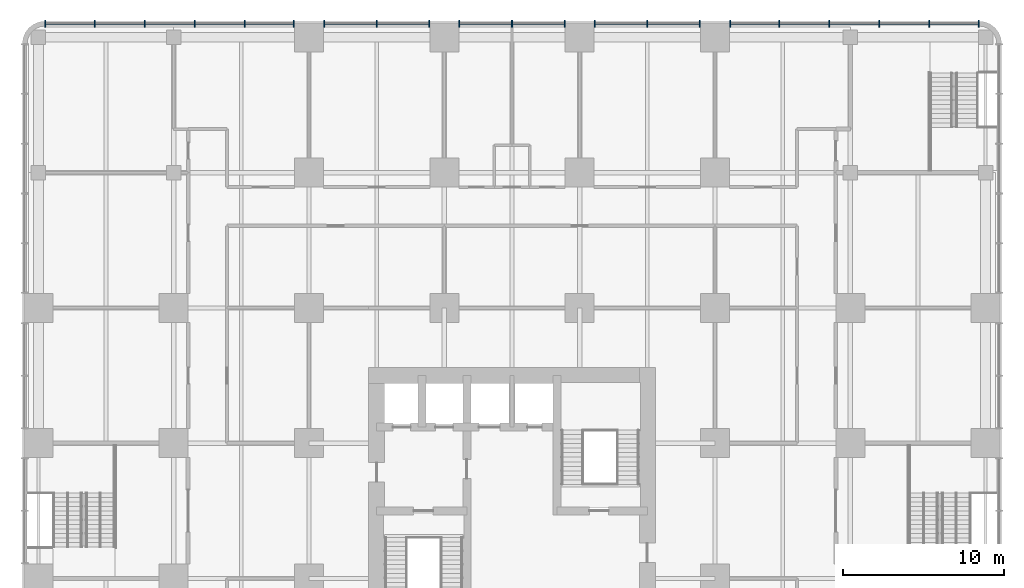
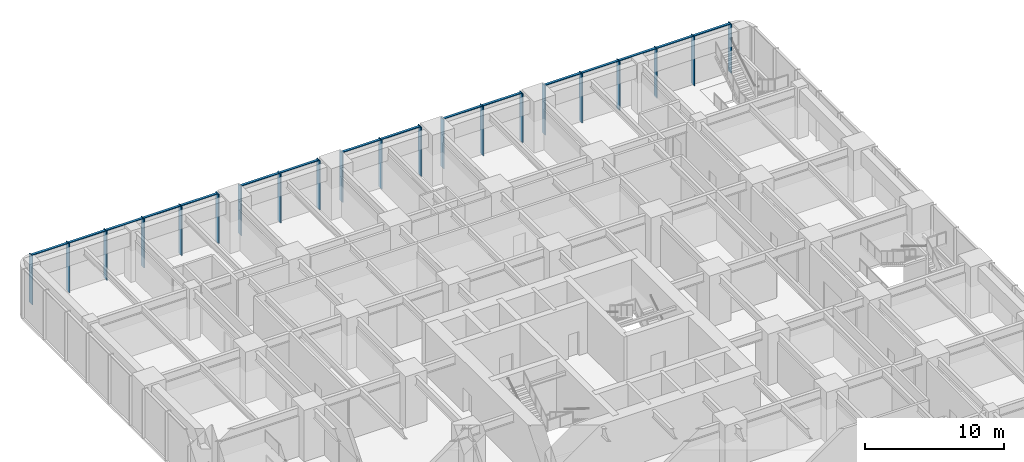
# One storey, part 7 of 19: 37 members, 1 element without a shape of its own.
"""IFC4 building model written with IfcOpenShell, lengths in metres."""

from ifc_helpers import new_model, si_unit, direction, frame, origin, origin_2d, place, context, subcontext, project, spatial, rectangle, extrude, material, material_profile, profile_set, type_object, element, aggregate, save


model = new_model("IFC4")

# Units and contexts
model_context = context("Model", 3, precision=1e-05, world=origin(), true_north=direction((0.0, 1.0)))
body_context = subcontext(model_context, "Body", "Model", "MODEL_VIEW")
ifc_project = project(units=[si_unit("LENGTHUNIT", "METRE"), si_unit("AREAUNIT", "SQUARE_METRE"), si_unit("VOLUMEUNIT", "CUBIC_METRE"), si_unit("PLANEANGLEUNIT", "RADIAN"), si_unit("MASSUNIT", "GRAM", prefix="KILO")], contexts=[model_context])

# Site, building, storey
site_placement = place(None, origin())
site = spatial("IfcSite", under=ifc_project, at=site_placement, CompositionType="ELEMENT")
building_placement = place(site_placement, origin())
building = spatial("IfcBuilding", under=site, at=building_placement, Name="Torre Alcanfor", CompositionType="ELEMENT")
storey_placement = place(building_placement, frame((0.0, 0.0, 15.0)))
storey = spatial("IfcBuildingStorey", under=building, at=storey_placement, Name="L03", CompositionType="ELEMENT", Elevation=15.0)

# Curtain wall, members
ifc_material_1 = material(Name="Aluminium and glass", Category="aluminium")
curtain_wall_type = type_object("IfcCurtainWallType", Name="CW-B unitised classroom glazing with vertical FIN", PredefinedType="NOTDEFINED", material=ifc_material_1)
curtain_wall_placement = place(storey_placement, origin())
curtain_wall = element("IfcCurtainWall", 1, at=curtain_wall_placement, inside=storey, type_object=curtain_wall_type, Name="Curtain wall CW-B L03 2", PredefinedType="NOTDEFINED")
ifc_material_2 = material(Name="Bronze anodised aluminium", Category="aluminium")
ifc_material_profile_1 = material_profile(ifc_material_2, rectangle(XDim=0.449951171875, YDim=0.06494140625, at=origin_2d()), Name="CW-B mullion 65x450")
ifc_profile_set_1 = profile_set([ifc_material_profile_1], Name="Bronze anodised aluminium")
member_type_1 = type_object("IfcMemberType", Name="CW-B mullion with vertical FIN 65x450", PredefinedType="MULLION", material=ifc_profile_set_1)
member_1_placement = place(storey_placement, frame((58.367431640625, 59.64990234375, 0.0), z_axis=(0.0, 0.0, 1.0), x_axis=(0.0, -1.0, 0.0)))
member_1 = element("IfcMember", 2, at=member_1_placement, type_object=member_type_1, Name="CW-B mullion 1.1", PredefinedType="MULLION", context=body_context, shape_type="SweptSolid", body=[
    extrude(rectangle(XDim=0.449951171875, YDim=0.06494140625, at=origin_2d()), origin(), (0.0, 0.0, 1.0), 4.300048828125),
])
member_2_placement = place(storey_placement, frame((55.301025390625, 59.64990234375, 0.0), z_axis=(0.0, 0.0, 1.0), x_axis=(0.0, -1.0, 0.0)))
member_2 = element("IfcMember", 3, at=member_2_placement, type_object=member_type_1, Name="CW-B mullion 1.2", PredefinedType="MULLION", context=body_context, shape_type="SweptSolid", body=[
    extrude(rectangle(XDim=0.449951171875, YDim=0.06494140625, at=origin_2d()), origin(), (0.0, 0.0, 1.0), 4.300048828125),
])
member_3_placement = place(storey_placement, frame((52.201904296875, 59.64990234375, 0.0), z_axis=(0.0, 0.0, 1.0), x_axis=(0.0, -1.0, 0.0)))
member_3 = element("IfcMember", 4, at=member_3_placement, type_object=member_type_1, Name="CW-B mullion 1.3", PredefinedType="MULLION", context=body_context, shape_type="SweptSolid", body=[
    extrude(rectangle(XDim=0.449951171875, YDim=0.06494140625, at=origin_2d()), origin(), (0.0, 0.0, 1.0), 4.300048828125),
])
member_4_placement = place(storey_placement, frame((49.10302734375, 59.64990234375, 0.0), z_axis=(0.0, 0.0, 1.0), x_axis=(0.0, -1.0, 0.0)))
member_4 = element("IfcMember", 5, at=member_4_placement, type_object=member_type_1, Name="CW-B mullion 1.4", PredefinedType="MULLION", context=body_context, shape_type="SweptSolid", body=[
    extrude(rectangle(XDim=0.449951171875, YDim=0.06494140625, at=origin_2d()), origin(), (0.0, 0.0, 1.0), 4.300048828125),
])
member_5_placement = place(storey_placement, frame((46.00390625, 59.64990234375, 0.0), z_axis=(0.0, 0.0, 1.0), x_axis=(0.0, -1.0, 0.0)))
member_5 = element("IfcMember", 6, at=member_5_placement, type_object=member_type_1, Name="CW-B mullion 1.5", PredefinedType="MULLION", context=body_context, shape_type="SweptSolid", body=[
    extrude(rectangle(XDim=0.449951171875, YDim=0.06494140625, at=origin_2d()), origin(), (0.0, 0.0, 1.0), 4.300048828125),
])
member_6_placement = place(storey_placement, frame((42.9375, 59.64990234375, 0.0), z_axis=(0.0, 0.0, 1.0), x_axis=(0.0, -1.0, 0.0)))
member_6 = element("IfcMember", 7, at=member_6_placement, type_object=member_type_1, Name="CW-B mullion 1.6", PredefinedType="MULLION", context=body_context, shape_type="SweptSolid", body=[
    extrude(rectangle(XDim=0.449951171875, YDim=0.06494140625, at=origin_2d()), origin(), (0.0, 0.0, 1.0), 4.300048828125),
])
member_7_placement = place(storey_placement, frame((41.0625, 59.64990234375, 0.0), z_axis=(0.0, 0.0, 1.0), x_axis=(0.0, -1.0, 0.0)))
member_7 = element("IfcMember", 8, at=member_7_placement, type_object=member_type_1, Name="CW-B mullion 2.1", PredefinedType="MULLION", context=body_context, shape_type="SweptSolid", body=[
    extrude(rectangle(XDim=0.449951171875, YDim=0.06494140625, at=origin_2d()), origin(), (0.0, 0.0, 1.0), 4.300048828125),
])
member_8_placement = place(storey_placement, frame((37.800048828125, 59.64990234375, 0.0), z_axis=(0.0, 0.0, 1.0), x_axis=(0.0, -1.0, 0.0)))
member_8 = element("IfcMember", 9, at=member_8_placement, type_object=member_type_1, Name="CW-B mullion 2.2", PredefinedType="MULLION", context=body_context, shape_type="SweptSolid", body=[
    extrude(rectangle(XDim=0.449951171875, YDim=0.06494140625, at=origin_2d()), origin(), (0.0, 0.0, 1.0), 4.300048828125),
])
member_9_placement = place(storey_placement, frame((34.53759765625, 59.64990234375, 0.0), z_axis=(0.0, 0.0, 1.0), x_axis=(0.0, -1.0, 0.0)))
member_9 = element("IfcMember", 10, at=member_9_placement, type_object=member_type_1, Name="CW-B mullion 2.3", PredefinedType="MULLION", context=body_context, shape_type="SweptSolid", body=[
    extrude(rectangle(XDim=0.449951171875, YDim=0.06494140625, at=origin_2d()), origin(), (0.0, 0.0, 1.0), 4.300048828125),
])
member_10_placement = place(storey_placement, frame((32.66259765625, 59.64990234375, 0.0), z_axis=(0.0, 0.0, 1.0), x_axis=(0.0, -1.0, 0.0)))
member_10 = element("IfcMember", 11, at=member_10_placement, type_object=member_type_1, Name="CW-B mullion 3.1", PredefinedType="MULLION", context=body_context, shape_type="SweptSolid", body=[
    extrude(rectangle(XDim=0.449951171875, YDim=0.06494140625, at=origin_2d()), origin(), (0.0, 0.0, 1.0), 4.300048828125),
])
member_11_placement = place(storey_placement, frame((29.39990234375, 59.64990234375, 0.0), z_axis=(0.0, 0.0, 1.0), x_axis=(0.0, -1.0, 0.0)))
member_11 = element("IfcMember", 12, at=member_11_placement, type_object=member_type_1, Name="CW-B mullion 3.2", PredefinedType="MULLION", context=body_context, shape_type="SweptSolid", body=[
    extrude(rectangle(XDim=0.449951171875, YDim=0.06494140625, at=origin_2d()), origin(), (0.0, 0.0, 1.0), 4.300048828125),
])
member_12_placement = place(storey_placement, frame((26.137451171875, 59.64990234375, 0.0), z_axis=(0.0, 0.0, 1.0), x_axis=(0.0, -1.0, 0.0)))
member_12 = element("IfcMember", 13, at=member_12_placement, type_object=member_type_1, Name="CW-B mullion 3.3", PredefinedType="MULLION", context=body_context, shape_type="SweptSolid", body=[
    extrude(rectangle(XDim=0.449951171875, YDim=0.06494140625, at=origin_2d()), origin(), (0.0, 0.0, 1.0), 4.300048828125),
])
member_13_placement = place(storey_placement, frame((24.262451171875, 59.64990234375, 0.0), z_axis=(0.0, 0.0, 1.0), x_axis=(0.0, -1.0, 0.0)))
member_13 = element("IfcMember", 14, at=member_13_placement, type_object=member_type_1, Name="CW-B mullion 4.1", PredefinedType="MULLION", context=body_context, shape_type="SweptSolid", body=[
    extrude(rectangle(XDim=0.449951171875, YDim=0.06494140625, at=origin_2d()), origin(), (0.0, 0.0, 1.0), 4.300048828125),
])
member_14_placement = place(storey_placement, frame((21.0, 59.64990234375, 0.0), z_axis=(0.0, 0.0, 1.0), x_axis=(0.0, -1.0, 0.0)))
member_14 = element("IfcMember", 15, at=member_14_placement, type_object=member_type_1, Name="CW-B mullion 4.2", PredefinedType="MULLION", context=body_context, shape_type="SweptSolid", body=[
    extrude(rectangle(XDim=0.449951171875, YDim=0.06494140625, at=origin_2d()), origin(), (0.0, 0.0, 1.0), 4.300048828125),
])
member_15_placement = place(storey_placement, frame((17.737548828125, 59.64990234375, 0.0), z_axis=(0.0, 0.0, 1.0), x_axis=(0.0, -1.0, 0.0)))
member_15 = element("IfcMember", 16, at=member_15_placement, type_object=member_type_1, Name="CW-B mullion 4.3", PredefinedType="MULLION", context=body_context, shape_type="SweptSolid", body=[
    extrude(rectangle(XDim=0.449951171875, YDim=0.06494140625, at=origin_2d()), origin(), (0.0, 0.0, 1.0), 4.300048828125),
])
member_16_placement = place(storey_placement, frame((15.862548828125, 59.64990234375, 0.0), z_axis=(0.0, 0.0, 1.0), x_axis=(0.0, -1.0, 0.0)))
member_16 = element("IfcMember", 17, at=member_16_placement, type_object=member_type_1, Name="CW-B mullion 5.1", PredefinedType="MULLION", context=body_context, shape_type="SweptSolid", body=[
    extrude(rectangle(XDim=0.449951171875, YDim=0.06494140625, at=origin_2d()), origin(), (0.0, 0.0, 1.0), 4.300048828125),
])
member_17_placement = place(storey_placement, frame((12.7958984375, 59.64990234375, 0.0), z_axis=(0.0, 0.0, 1.0), x_axis=(0.0, -1.0, 0.0)))
member_17 = element("IfcMember", 18, at=member_17_placement, type_object=member_type_1, Name="CW-B mullion 5.2", PredefinedType="MULLION", context=body_context, shape_type="SweptSolid", body=[
    extrude(rectangle(XDim=0.449951171875, YDim=0.06494140625, at=origin_2d()), origin(), (0.0, 0.0, 1.0), 4.300048828125),
])
member_18_placement = place(storey_placement, frame((9.697021484375, 59.64990234375, 0.0), z_axis=(0.0, 0.0, 1.0), x_axis=(0.0, -1.0, 0.0)))
member_18 = element("IfcMember", 19, at=member_18_placement, type_object=member_type_1, Name="CW-B mullion 5.3", PredefinedType="MULLION", context=body_context, shape_type="SweptSolid", body=[
    extrude(rectangle(XDim=0.449951171875, YDim=0.06494140625, at=origin_2d()), origin(), (0.0, 0.0, 1.0), 4.300048828125),
])
member_19_placement = place(storey_placement, frame((6.597900390625, 59.64990234375, 0.0), z_axis=(0.0, 0.0, 1.0), x_axis=(0.0, -1.0, 0.0)))
member_19 = element("IfcMember", 20, at=member_19_placement, type_object=member_type_1, Name="CW-B mullion 5.4", PredefinedType="MULLION", context=body_context, shape_type="SweptSolid", body=[
    extrude(rectangle(XDim=0.449951171875, YDim=0.06494140625, at=origin_2d()), origin(), (0.0, 0.0, 1.0), 4.300048828125),
])
member_20_placement = place(storey_placement, frame((3.4990234375, 59.64990234375, 0.0), z_axis=(0.0, 0.0, 1.0), x_axis=(0.0, -1.0, 0.0)))
member_20 = element("IfcMember", 21, at=member_20_placement, type_object=member_type_1, Name="CW-B mullion 5.5", PredefinedType="MULLION", context=body_context, shape_type="SweptSolid", body=[
    extrude(rectangle(XDim=0.449951171875, YDim=0.06494140625, at=origin_2d()), origin(), (0.0, 0.0, 1.0), 4.300048828125),
])
member_21_placement = place(storey_placement, frame((0.4326171875, 59.64990234375, 0.0), z_axis=(0.0, 0.0, 1.0), x_axis=(0.0, -1.0, 0.0)))
member_21 = element("IfcMember", 22, at=member_21_placement, type_object=member_type_1, Name="CW-B mullion 5.6", PredefinedType="MULLION", context=body_context, shape_type="SweptSolid", body=[
    extrude(rectangle(XDim=0.449951171875, YDim=0.06494140625, at=origin_2d()), origin(), (0.0, 0.0, 1.0), 4.300048828125),
])
ifc_material_3 = material(Name="Extruded aluminium", Category="aluminium")
ifc_material_profile_2 = material_profile(ifc_material_3, rectangle(XDim=0.199951171875, YDim=0.06494140625, at=origin_2d()), Name="CW-B transom 200x65")
ifc_profile_set_2 = profile_set([ifc_material_profile_2], Name="Extruded aluminium")
member_type_2 = type_object("IfcMemberType", Name="CW-B transom 65x200", PredefinedType="USERDEFINED", material=ifc_profile_set_2)
member_22_placement = place(storey_placement, frame((58.3349609375, 59.64990234375, 4.267578125), z_axis=(-1.0, 0.0, 0.0), x_axis=(0.0, -1.0, 0.0)))
member_22 = element("IfcMember", 23, at=member_22_placement, type_object=member_type_2, Name="CW-B transom 1.1.2", ObjectType="TRANSOM", PredefinedType="USERDEFINED", context=body_context, shape_type="SweptSolid", body=[
    extrude(rectangle(XDim=0.199951171875, YDim=0.06494140625, at=origin_2d()), origin(), (0.0, 0.0, 1.0), 3.00146484375),
])
member_23_placement = place(storey_placement, frame((55.2685546875, 59.64990234375, 4.267578125), z_axis=(-1.0, 0.0, 0.0), x_axis=(0.0, -1.0, 0.0)))
member_23 = element("IfcMember", 24, at=member_23_placement, type_object=member_type_2, Name="CW-B transom 1.2.2", ObjectType="TRANSOM", PredefinedType="USERDEFINED", context=body_context, shape_type="SweptSolid", body=[
    extrude(rectangle(XDim=0.199951171875, YDim=0.06494140625, at=origin_2d()), origin(), (0.0, 0.0, 1.0), 3.033935546875),
])
member_24_placement = place(storey_placement, frame((52.16943359375, 59.64990234375, 4.267578125), z_axis=(-1.0, 0.0, 0.0), x_axis=(0.0, -1.0, 0.0)))
member_24 = element("IfcMember", 25, at=member_24_placement, type_object=member_type_2, Name="CW-B transom 1.3.2", ObjectType="TRANSOM", PredefinedType="USERDEFINED", context=body_context, shape_type="SweptSolid", body=[
    extrude(rectangle(XDim=0.199951171875, YDim=0.06494140625, at=origin_2d()), origin(), (0.0, 0.0, 1.0), 3.033935546875),
])
member_25_placement = place(storey_placement, frame((49.070556640625, 59.64990234375, 4.267578125), z_axis=(-1.0, 0.0, 0.0), x_axis=(0.0, -1.0, 0.0)))
member_25 = element("IfcMember", 26, at=member_25_placement, type_object=member_type_2, Name="CW-B transom 1.4.2", ObjectType="TRANSOM", PredefinedType="USERDEFINED", context=body_context, shape_type="SweptSolid", body=[
    extrude(rectangle(XDim=0.199951171875, YDim=0.06494140625, at=origin_2d()), origin(), (0.0, 0.0, 1.0), 3.033935546875),
])
member_26_placement = place(storey_placement, frame((45.971435546875, 59.64990234375, 4.267578125), z_axis=(-1.0, 0.0, 0.0), x_axis=(0.0, -1.0, 0.0)))
member_26 = element("IfcMember", 27, at=member_26_placement, type_object=member_type_2, Name="CW-B transom 1.5.2", ObjectType="TRANSOM", PredefinedType="USERDEFINED", context=body_context, shape_type="SweptSolid", body=[
    extrude(rectangle(XDim=0.199951171875, YDim=0.06494140625, at=origin_2d()), origin(), (0.0, 0.0, 1.0), 3.00146484375),
])
member_27_placement = place(storey_placement, frame((41.030029296875, 59.64990234375, 4.267578125), z_axis=(-1.0, 0.0, 0.0), x_axis=(0.0, -1.0, 0.0)))
member_27 = element("IfcMember", 28, at=member_27_placement, type_object=member_type_2, Name="CW-B transom 2.1.2", ObjectType="TRANSOM", PredefinedType="USERDEFINED", context=body_context, shape_type="SweptSolid", body=[
    extrude(rectangle(XDim=0.199951171875, YDim=0.06494140625, at=origin_2d()), origin(), (0.0, 0.0, 1.0), 3.197509765625),
])
member_28_placement = place(storey_placement, frame((37.767578125, 59.64990234375, 4.267578125), z_axis=(-1.0, 0.0, 0.0), x_axis=(0.0, -1.0, 0.0)))
member_28 = element("IfcMember", 29, at=member_28_placement, type_object=member_type_2, Name="CW-B transom 2.2.2", ObjectType="TRANSOM", PredefinedType="USERDEFINED", context=body_context, shape_type="SweptSolid", body=[
    extrude(rectangle(XDim=0.199951171875, YDim=0.06494140625, at=origin_2d()), origin(), (0.0, 0.0, 1.0), 3.197509765625),
])
member_29_placement = place(storey_placement, frame((32.6298828125, 59.64990234375, 4.267578125), z_axis=(-1.0, 0.0, 0.0), x_axis=(0.0, -1.0, 0.0)))
member_29 = element("IfcMember", 30, at=member_29_placement, type_object=member_type_2, Name="CW-B transom 3.1.2", ObjectType="TRANSOM", PredefinedType="USERDEFINED", context=body_context, shape_type="SweptSolid", body=[
    extrude(rectangle(XDim=0.199951171875, YDim=0.06494140625, at=origin_2d()), origin(), (0.0, 0.0, 1.0), 3.197265625),
])
member_30_placement = place(storey_placement, frame((29.367431640625, 59.64990234375, 4.267578125), z_axis=(-1.0, 0.0, 0.0), x_axis=(0.0, -1.0, 0.0)))
member_30 = element("IfcMember", 31, at=member_30_placement, type_object=member_type_2, Name="CW-B transom 3.2.2", ObjectType="TRANSOM", PredefinedType="USERDEFINED", context=body_context, shape_type="SweptSolid", body=[
    extrude(rectangle(XDim=0.199951171875, YDim=0.06494140625, at=origin_2d()), origin(), (0.0, 0.0, 1.0), 3.197509765625),
])
member_31_placement = place(storey_placement, frame((24.22998046875, 59.64990234375, 4.267578125), z_axis=(-1.0, 0.0, 0.0), x_axis=(0.0, -1.0, 0.0)))
member_31 = element("IfcMember", 32, at=member_31_placement, type_object=member_type_2, Name="CW-B transom 4.1.2", ObjectType="TRANSOM", PredefinedType="USERDEFINED", context=body_context, shape_type="SweptSolid", body=[
    extrude(rectangle(XDim=0.199951171875, YDim=0.06494140625, at=origin_2d()), origin(), (0.0, 0.0, 1.0), 3.197509765625),
])
member_32_placement = place(storey_placement, frame((20.967529296875, 59.64990234375, 4.267578125), z_axis=(-1.0, 0.0, 0.0), x_axis=(0.0, -1.0, 0.0)))
member_32 = element("IfcMember", 33, at=member_32_placement, type_object=member_type_2, Name="CW-B transom 4.2.2", ObjectType="TRANSOM", PredefinedType="USERDEFINED", context=body_context, shape_type="SweptSolid", body=[
    extrude(rectangle(XDim=0.199951171875, YDim=0.06494140625, at=origin_2d()), origin(), (0.0, 0.0, 1.0), 3.197509765625),
])
member_33_placement = place(storey_placement, frame((15.830078125, 59.64990234375, 4.267578125), z_axis=(-1.0, 0.0, 0.0), x_axis=(0.0, -1.0, 0.0)))
member_33 = element("IfcMember", 34, at=member_33_placement, type_object=member_type_2, Name="CW-B transom 5.1.2", ObjectType="TRANSOM", PredefinedType="USERDEFINED", context=body_context, shape_type="SweptSolid", body=[
    extrude(rectangle(XDim=0.199951171875, YDim=0.06494140625, at=origin_2d()), origin(), (0.0, 0.0, 1.0), 3.00146484375),
])
member_34_placement = place(storey_placement, frame((12.763427734375, 59.64990234375, 4.267578125), z_axis=(-1.0, 0.0, 0.0), x_axis=(0.0, -1.0, 0.0)))
member_34 = element("IfcMember", 35, at=member_34_placement, type_object=member_type_2, Name="CW-B transom 5.2.2", ObjectType="TRANSOM", PredefinedType="USERDEFINED", context=body_context, shape_type="SweptSolid", body=[
    extrude(rectangle(XDim=0.199951171875, YDim=0.06494140625, at=origin_2d()), origin(), (0.0, 0.0, 1.0), 3.033935546875),
])
member_35_placement = place(storey_placement, frame((9.66455078125, 59.64990234375, 4.267578125), z_axis=(-1.0, 0.0, 0.0), x_axis=(0.0, -1.0, 0.0)))
member_35 = element("IfcMember", 36, at=member_35_placement, type_object=member_type_2, Name="CW-B transom 5.3.2", ObjectType="TRANSOM", PredefinedType="USERDEFINED", context=body_context, shape_type="SweptSolid", body=[
    extrude(rectangle(XDim=0.199951171875, YDim=0.06494140625, at=origin_2d()), origin(), (0.0, 0.0, 1.0), 3.033935546875),
])
member_36_placement = place(storey_placement, frame((6.5654296875, 59.64990234375, 4.267578125), z_axis=(-1.0, 0.0, 0.0), x_axis=(0.0, -1.0, 0.0)))
member_36 = element("IfcMember", 37, at=member_36_placement, type_object=member_type_2, Name="CW-B transom 5.4.2", ObjectType="TRANSOM", PredefinedType="USERDEFINED", context=body_context, shape_type="SweptSolid", body=[
    extrude(rectangle(XDim=0.199951171875, YDim=0.06494140625, at=origin_2d()), origin(), (0.0, 0.0, 1.0), 3.033935546875),
])
member_37_placement = place(storey_placement, frame((3.466552734375, 59.64990234375, 4.267578125), z_axis=(-1.0, 0.0, 0.0), x_axis=(0.0, -1.0, 0.0)))
member_37 = element("IfcMember", 38, at=member_37_placement, type_object=member_type_2, Name="CW-B transom 5.5.2", ObjectType="TRANSOM", PredefinedType="USERDEFINED", context=body_context, shape_type="SweptSolid", body=[
    extrude(rectangle(XDim=0.199951171875, YDim=0.06494140625, at=origin_2d()), origin(), (0.0, 0.0, 1.0), 3.00146484375),
])
aggregate(curtain_wall, [member_1, member_2, member_3, member_4, member_5, member_6, member_22, member_23, member_24, member_25, member_26, member_7, member_8, member_9, member_27, member_28, member_10, member_11, member_12, member_29, member_30, member_13, member_14, member_15, member_31, member_32, member_16, member_17, member_18, member_19, member_20, member_21, member_33, member_34, member_35, member_36, member_37])

save(model, "model.ifc")
